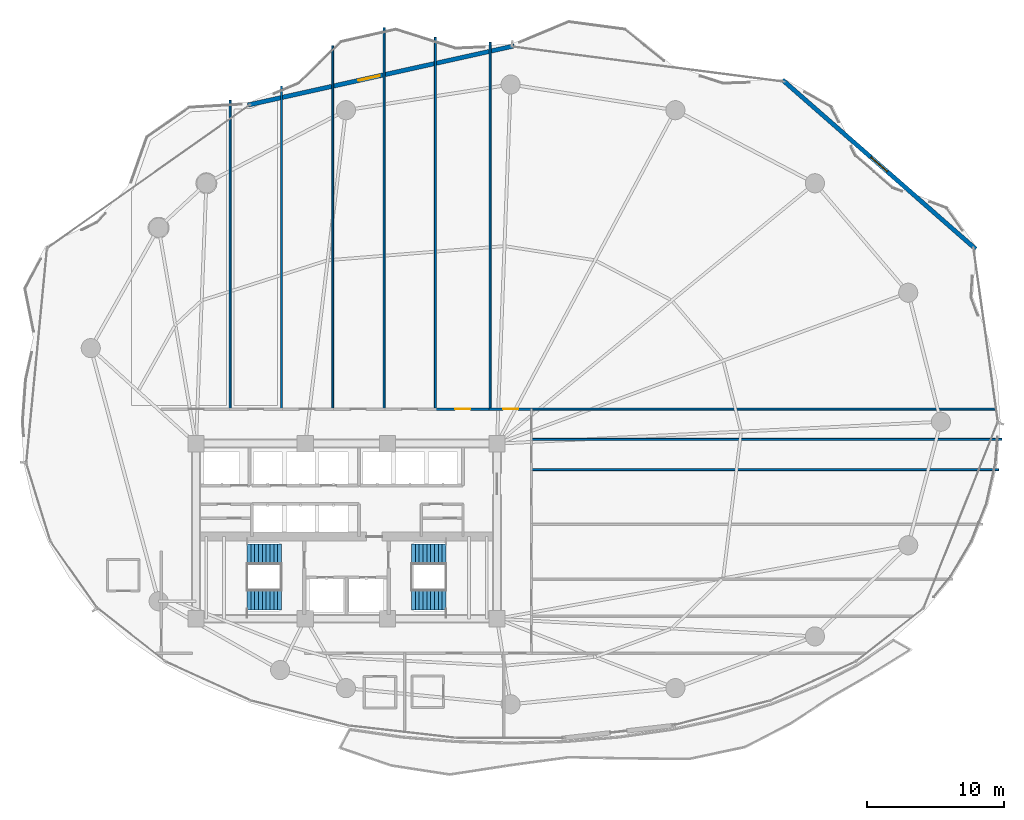
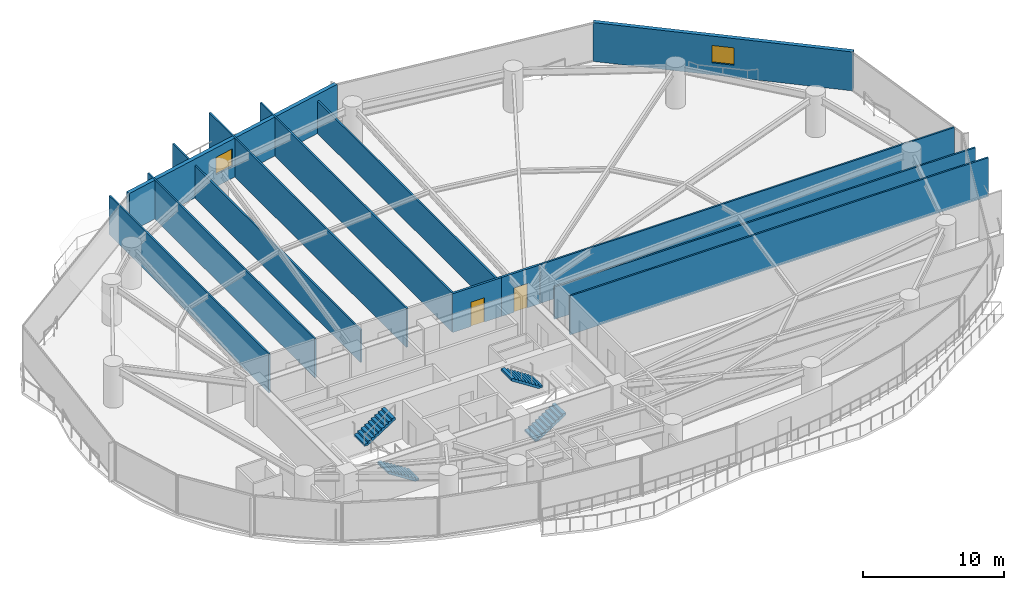
# One storey, part 27 of 32: 13 walls, 4 stair flights, 2 doors, 2 windows, 4 openings, 2 elements without a shape of their own.
"""IFC4 building model written with IfcOpenShell, lengths in metres."""

from ifc_helpers import new_model, si_unit, direction, frame, frame_2d, origin, place, context, subcontext, project, spatial, polyline, rectangle, outline, extrude, material, layer, layer_set, type_object, element, fill, aggregate, save


model = new_model("IFC4")

# Units and contexts
model_context = context("Model", 3, precision=1e-05, world=origin(), true_north=direction((0.0, 1.0)))
body_context = subcontext(model_context, "Body", "Model", "MODEL_VIEW")
ifc_project = project(units=[si_unit("LENGTHUNIT", "METRE"), si_unit("AREAUNIT", "SQUARE_METRE"), si_unit("VOLUMEUNIT", "CUBIC_METRE"), si_unit("PLANEANGLEUNIT", "RADIAN"), si_unit("MASSUNIT", "GRAM", prefix="KILO")], contexts=[model_context])

# Site, building, storey
site_placement = place(None, origin())
site = spatial("IfcSite", under=ifc_project, at=site_placement, CompositionType="ELEMENT")
building_placement = place(site_placement, origin())
building = spatial("IfcBuilding", under=site, at=building_placement, Name="Kazevale Care Tower and Concert Hall", CompositionType="ELEMENT")
storey_placement = place(building_placement, frame((0.0, 0.0, 42.0)))
storey = spatial("IfcBuildingStorey", under=building, at=storey_placement, Name="L10", CompositionType="ELEMENT", Elevation=42.0)

# Walls
ifc_material_1 = material(Name="Acoustic Gypsum on Steel Stud", Category="steel")
ifc_layer_1 = layer(ifc_material_1, 0.139892578125)
ifc_layer_set_1 = layer_set([ifc_layer_1], Name="Acoustic Gypsum on Steel Stud")
wall_type_1 = type_object("IfcWallType", Name="Acoustic Care & Suite Partition 140", PredefinedType="PARTITIONING", material=ifc_layer_set_1)
wall_1_placement = place(storey_placement, frame((24.5, 61.48291015625, 0.0), z_axis=(0.0, 0.0, 1.0), x_axis=(0.0, -1.0, 0.0)))
element("IfcWall", 1, at=wall_1_placement, inside=storey, type_object=wall_type_1, Name="wall:L10:auto_019", PredefinedType="PARTITIONING", context=body_context, shape_type="SweptSolid", body=[
    extrude(rectangle(XDim=22.587890625, YDim=0.139892578125, at=frame_2d((11.2939453125, 0.0))), origin(), (0.0, 0.0, 1.0), 3.360107421875),
])
wall_2_placement = place(storey_placement, frame((28.25, 62.532958984375, 0.0), z_axis=(0.0, 0.0, 1.0), x_axis=(0.0, -1.0, 0.0)))
element("IfcWall", 2, at=wall_2_placement, inside=storey, type_object=wall_type_1, Name="wall:L10:auto_020", PredefinedType="PARTITIONING", context=body_context, shape_type="SweptSolid", body=[
    extrude(rectangle(XDim=23.637939453125, YDim=0.139892578125, at=frame_2d((11.81884765625, 0.0))), origin(), (0.0, 0.0, 1.0), 3.360107421875),
])
wall_3_placement = place(storey_placement, frame((32.0, 65.493896484375, 0.0), z_axis=(0.0, 0.0, 1.0), x_axis=(0.0, -1.0, 0.0)))
element("IfcWall", 3, at=wall_3_placement, inside=storey, type_object=wall_type_1, Name="wall:L10:auto_021", PredefinedType="PARTITIONING", context=body_context, shape_type="SweptSolid", body=[
    extrude(rectangle(XDim=26.598876953125, YDim=0.139892578125, at=frame_2d((13.29931640625, 0.0))), origin(), (0.0, 0.0, 1.0), 2.805908203125),
])
wall_4_placement = place(storey_placement, frame((35.75, 66.81298828125, 0.0), z_axis=(0.0, 0.0, 1.0), x_axis=(0.0, -1.0, 0.0)))
element("IfcWall", 4, at=wall_4_placement, inside=storey, type_object=wall_type_1, Name="wall:L10:auto_022", PredefinedType="PARTITIONING", context=body_context, shape_type="SweptSolid", body=[
    extrude(rectangle(XDim=27.91796875, YDim=0.139892578125, at=frame_2d((13.958984375, 0.0))), origin(), (0.0, 0.0, 1.0), 3.360107421875),
])
wall_5_placement = place(storey_placement, frame((39.5, 66.0869140625, 0.0), z_axis=(0.0, 0.0, 1.0), x_axis=(0.0, -1.0, 0.0)))
element("IfcWall", 5, at=wall_5_placement, inside=storey, type_object=wall_type_1, Name="wall:L10:auto_023", PredefinedType="PARTITIONING", context=body_context, shape_type="SweptSolid", body=[
    extrude(rectangle(XDim=27.19189453125, YDim=0.139892578125, at=frame_2d((13.595947265625, 0.0))), origin(), (0.0, 0.0, 1.0), 3.360107421875),
])
wall_6_placement = place(storey_placement, frame((43.5, 65.735107421875, 0.0), z_axis=(0.0, 0.0, 1.0), x_axis=(0.0, -1.0, 0.0)))
element("IfcWall", 6, at=wall_6_placement, inside=storey, type_object=wall_type_1, Name="wall:L10:auto_024", PredefinedType="PARTITIONING", context=body_context, shape_type="SweptSolid", body=[
    extrude(rectangle(XDim=26.840087890625, YDim=0.139892578125, at=frame_2d((13.419921875, 0.0))), origin(), (0.0, 0.0, 1.0), 2.805908203125),
])
wall_7_placement = place(storey_placement, frame((80.480224609375, 38.925048828125, 0.0), z_axis=(0.0, 0.0, 1.0), x_axis=(-1.0, 0.0, 0.0)))
element("IfcWall", 7, at=wall_7_placement, inside=storey, type_object=wall_type_1, Name="wall:L10:auto_025", PredefinedType="PARTITIONING", context=body_context, shape_type="SweptSolid", body=[
    extrude(rectangle(XDim=34.020263671875, YDim=0.139892578125, at=frame_2d((17.01025390625, 0.0))), origin(), (0.0, 0.0, 1.0), 3.360107421875),
])
wall_8_placement = place(storey_placement, frame((46.4951171875, 34.5, 0.0), z_axis=(0.0, 0.0, 1.0), x_axis=(1.0, 0.0, 0.0)))
element("IfcWall", 8, at=wall_8_placement, inside=storey, type_object=wall_type_1, Name="wall:L10:auto_030", PredefinedType="PARTITIONING", context=body_context, shape_type="SweptSolid", body=[
    extrude(rectangle(XDim=34.177001953125, YDim=0.139892578125, at=frame_2d((17.08837890625, 0.0))), origin(), (0.0, 0.0, 1.0), 3.360107421875),
])
wall_9_placement = place(storey_placement, frame((46.4951171875, 36.7099609375, 0.0), z_axis=(0.0, 0.0, 1.0), x_axis=(1.0, 0.0, 0.0)))
element("IfcWall", 9, at=wall_9_placement, inside=storey, type_object=wall_type_1, Name="wall:L10:auto_031", PredefinedType="PARTITIONING", context=body_context, shape_type="SweptSolid", body=[
    extrude(rectangle(XDim=34.409912109375, YDim=0.139892578125, at=frame_2d((17.205078125, 0.0))), origin(), (0.0, 0.0, 1.0), 2.805908203125),
])

# Wall, opening, door
ifc_material_2 = material(Name="Concrete C40 and Acoustic Gypsum", Category="concrete")
ifc_layer_2 = layer(ifc_material_2, 0.179931640625)
ifc_layer_set_2 = layer_set([ifc_layer_2], Name="Concrete C40 and Acoustic Gypsum")
wall_type_2 = type_object("IfcWallType", Name="Fire-Rated Corridor & Party Wall 180", PredefinedType="PARTITIONING", material=ifc_layer_set_2)
wall_10_placement = place(storey_placement, frame((39.43505859375, 38.925048828125, 0.0), z_axis=(0.0, 0.0, 1.0), x_axis=(1.0, 0.0, 0.0)))
wall_10 = element("IfcWall", 10, at=wall_10_placement, inside=storey, type_object=wall_type_2, Name="wall:L10:auto_006", PredefinedType="PARTITIONING", context=body_context, shape_type="SweptSolid", body=[
    extrude(rectangle(XDim=4.1298828125, YDim=0.179931640625, at=frame_2d((2.06494140625, 0.0))), origin(), (0.0, 0.0, 1.0), 3.360107421875),
])
opening_1_placement = place(wall_10_placement, frame((1.514892578125, 0.0, 0.0)))
opening_1 = element("IfcOpeningElement", 11, at=opening_1_placement, cuts=wall_10, Name="Opening ID-1100", PredefinedType="OPENING", context=body_context, shape_type="SweptSolid", body=[
    extrude(rectangle(XDim=1.10009765625, YDim=2.10009765625, at=frame_2d((0.550048828125, 1.050048828125))), frame((0.0, 0.099853515625, 0.0), z_axis=(0.0, -1.0, 0.0), x_axis=(1.0, 0.0, 0.0)), (0.0, 0.0, 1.0), 0.199951171875),
])
ifc_material_3 = material(Name="Oak Timber Fire Leaf", Category="wood")
door_type = type_object("IfcDoorType", Name="Care Bedroom Accessible Door 1100x2100", OperationType="NOTDEFINED", PredefinedType="DOOR", material=ifc_material_3)
door_1_placement = place(opening_1_placement, origin())
door_1 = element("IfcDoor", 12, at=door_1_placement, inside=storey, type_object=door_type, Name="door:L10:ad_006", OperationType="SINGLE_SWING_LEFT", OverallHeight=2.10009765625, OverallWidth=1.10009765625, PredefinedType="DOOR", context=body_context, shape_type="SweptSolid", body=[
    extrude(rectangle(XDim=1.10009765625, YDim=2.10009765625, at=frame_2d((0.550048828125, 1.050048828125))), frame((0.0, 0.02490234375, 0.0), z_axis=(0.0, -1.0, 0.0), x_axis=(1.0, 0.0, 0.0)), (0.0, 0.0, 1.0), 0.050048828125),
])
fill(opening_1, door_1)

wall_11_placement = place(storey_placement, frame((43.43505859375, 38.925048828125, 0.0), z_axis=(0.0, 0.0, 1.0), x_axis=(1.0, 0.0, 0.0)))
wall_11 = element("IfcWall", 13, at=wall_11_placement, inside=storey, type_object=wall_type_2, Name="wall:L10:auto_007", PredefinedType="PARTITIONING", context=body_context, shape_type="SweptSolid", body=[
    extrude(rectangle(XDim=3.119873046875, YDim=0.179931640625, at=frame_2d((1.56005859375, 0.0))), origin(), (0.0, 0.0, 1.0), 3.360107421875),
])
opening_2_placement = place(wall_11_placement, frame((1.010009765625, 0.0, 0.0)))
opening_2 = element("IfcOpeningElement", 14, at=opening_2_placement, cuts=wall_11, Name="Opening ID-1100", PredefinedType="OPENING", context=body_context, shape_type="SweptSolid", body=[
    extrude(rectangle(XDim=1.10009765625, YDim=2.10009765625, at=frame_2d((0.550048828125, 1.050048828125))), frame((0.0, 0.099853515625, 0.0), z_axis=(0.0, -1.0, 0.0), x_axis=(1.0, 0.0, 0.0)), (0.0, 0.0, 1.0), 0.199951171875),
])
door_2_placement = place(opening_2_placement, origin())
door_2 = element("IfcDoor", 15, at=door_2_placement, inside=storey, type_object=door_type, Name="door:L10:ad_007", OperationType="SINGLE_SWING_LEFT", OverallHeight=2.10009765625, OverallWidth=1.10009765625, PredefinedType="DOOR", context=body_context, shape_type="SweptSolid", body=[
    extrude(rectangle(XDim=1.10009765625, YDim=2.10009765625, at=frame_2d((0.550048828125, 1.050048828125))), frame((0.0, 0.02490234375, 0.0), z_axis=(0.0, -1.0, 0.0), x_axis=(1.0, 0.0, 0.0)), (0.0, 0.0, 1.0), 0.050048828125),
])
fill(opening_2, door_2)

# Wall, opening, window
ifc_material_4 = material(Name="Concrete C40 with Honed Limestone Cladding", Category="masonry")
ifc_layer_3 = layer(ifc_material_4, 0.320068359375)
ifc_layer_set_3 = layer_set([ifc_layer_3], Name="Concrete C40 with Honed Limestone Cladding")
wall_type_3 = type_object("IfcWallType", Name="Tower Honed Limestone Spandrel Wall 320", PredefinedType="STANDARD", material=ifc_layer_set_3)
wall_12_placement = place(storey_placement, frame((25.780029296875, 61.14404296875, 0.0), z_axis=(0.0, 0.0, 1.0), x_axis=(0.976206349039, 0.216843639742, 0.0)))
wall_12 = element("IfcWall", 16, at=wall_12_placement, inside=storey, type_object=wall_type_3, Name="wall:L10:cbox:15", PredefinedType="STANDARD", context=body_context, shape_type="SweptSolid", body=[
    extrude(rectangle(XDim=19.949462890625, YDim=0.320068359375, at=frame_2d((9.974609375, 0.0))), origin(), (0.0, 0.0, 1.0), 3.360107421875),
])
opening_3_placement = place(wall_12_placement, frame((8.294921875, 0.0, 1.050048828125)))
opening_3 = element("IfcOpeningElement", 17, at=opening_3_placement, cuts=wall_12, Name="Opening WIN-1", PredefinedType="OPENING", context=body_context, shape_type="SweptSolid", body=[
    extrude(rectangle(XDim=1.60009765625, YDim=1.5, at=frame_2d((0.800048828125, 0.75))), frame((0.0, 0.169921875, 0.0), z_axis=(0.0, -1.0, 0.0), x_axis=(1.0, 0.0, 0.0)), (0.0, 0.0, 1.0), 0.340087890625),
])
ifc_material_5 = material(Name="Low-E Laminated Glass", Category="glass")
window_type = type_object("IfcWindowType", Name="Convex Box Deep-Set Window 1600x1500", PartitioningType="DOUBLE_PANEL_VERTICAL", PredefinedType="WINDOW", material=ifc_material_5)
window_1_placement = place(opening_3_placement, origin())
window_1 = element("IfcWindow", 18, at=window_1_placement, inside=storey, type_object=window_type, Name="win:L10:cbox:15", OverallHeight=1.5, OverallWidth=1.60009765625, PartitioningType="SINGLE_PANEL", PredefinedType="WINDOW", context=body_context, shape_type="SweptSolid", body=[
    extrude(rectangle(XDim=1.60009765625, YDim=1.5, at=frame_2d((0.800048828125, 0.75))), frame((0.0, 0.030029296875, 0.0), z_axis=(0.0, -1.0, 0.0), x_axis=(1.0, 0.0, 0.0)), (0.0, 0.0, 1.0), 0.06005859375),
])
fill(opening_3, window_1)

wall_13_placement = place(storey_placement, frame((64.8740234375, 62.98388671875, 0.0), z_axis=(0.0, 0.0, 1.0), x_axis=(0.752445311183, -0.658654730249, 0.0)))
wall_13 = element("IfcWall", 19, at=wall_13_placement, inside=storey, type_object=wall_type_3, Name="wall:L10:cbox:17", PredefinedType="STANDARD", context=body_context, shape_type="SweptSolid", body=[
    extrude(rectangle(XDim=18.765380859375, YDim=0.320068359375, at=frame_2d((9.3828125, 0.0))), origin(), (0.0, 0.0, 1.0), 3.360107421875),
])
opening_4_placement = place(wall_13_placement, frame((8.58203125, 0.0, 1.050048828125)))
opening_4 = element("IfcOpeningElement", 20, at=opening_4_placement, cuts=wall_13, Name="Opening WIN-1", PredefinedType="OPENING", context=body_context, shape_type="SweptSolid", body=[
    extrude(rectangle(XDim=1.60009765625, YDim=1.5, at=frame_2d((0.800048828125, 0.75))), frame((0.0, 0.169921875, 0.0), z_axis=(0.0, -1.0, 0.0), x_axis=(1.0, 0.0, 0.0)), (0.0, 0.0, 1.0), 0.340087890625),
])
window_2_placement = place(opening_4_placement, origin())
window_2 = element("IfcWindow", 21, at=window_2_placement, inside=storey, type_object=window_type, Name="win:L10:cbox:17", OverallHeight=1.5, OverallWidth=1.60009765625, PartitioningType="SINGLE_PANEL", PredefinedType="WINDOW", context=body_context, shape_type="SweptSolid", body=[
    extrude(rectangle(XDim=1.60009765625, YDim=1.5, at=frame_2d((0.800048828125, 0.75))), frame((0.0, 0.030029296875, 0.0), z_axis=(0.0, -1.0, 0.0), x_axis=(1.0, 0.0, 0.0)), (0.0, 0.0, 1.0), 0.06005859375),
])
fill(opening_4, window_2)

# Stair, stair flights
ifc_material_6 = material(Name="Concrete C40", Category="concrete")
stair_type = type_object("IfcStairType", Name="Exit Stair Assembly ST1-Z1", PredefinedType="HALF_TURN_STAIR", material=ifc_material_6)
stair_1_placement = place(storey_placement, origin())
stair_1 = element("IfcStair", 22, at=stair_1_placement, inside=storey, type_object=stair_type, Name="stair:L10:ST1", PredefinedType="HALF_TURN_STAIR")
ifc_layer_4 = layer(ifc_material_6, 0.159912109375)
ifc_layer_set_4 = layer_set([ifc_layer_4], Name="Concrete C40")
stair_flight_type = type_object("IfcStairFlightType", Name="Exit Stair Flight ST1-Z1", PredefinedType="STRAIGHT", material=ifc_layer_set_4)
stair_flight_1_placement = place(storey_placement, frame((28.25, 24.989990234375, 0.0), z_axis=(0.0, 0.0, 1.0), x_axis=(-1.0, 0.0, 0.0)))
stair_flight_1 = element("IfcStairFlight", 23, at=stair_flight_1_placement, type_object=stair_flight_type, Name="ST1-Z1 flight 1", NumberOfRisers=10, NumberOfTreads=9, PredefinedType="STRAIGHT", RiserHeight=0.18, TreadLength=0.28, context=body_context, shape_type="SweptSolid", body=[
    extrude(outline(polyline([(0.0, 0.0), (0.0, 0.179931640625), (0.280029296875, 0.179931640625), (0.280029296875, 0.360107421875), (0.56005859375, 0.360107421875), (0.56005859375, 0.5400390625), (0.840087890625, 0.5400390625), (0.840087890625, 0.719970703125), (1.1201171875, 0.719970703125), (1.1201171875, 0.89990234375), (1.39990234375, 0.89990234375), (1.39990234375, 1.080078125), (1.679931640625, 1.080078125), (1.679931640625, 1.260009765625), (1.9599609375, 1.260009765625), (1.9599609375, 1.43994140625), (2.239990234375, 1.43994140625), (2.239990234375, 1.6201171875), (2.52001953125, 1.6201171875), (2.52001953125, 1.800048828125), (2.52001953125, 1.429931640625), (0.295654296875, 0.0), (0.0, 0.0)])), frame((0.0, 0.739990234375, 0.0), z_axis=(0.0, -1.0, 0.0), x_axis=(1.0, 0.0, 0.0)), (0.0, 0.0, 1.0), 1.47998046875),
])
stair_flight_2_placement = place(storey_placement, frame((25.72998046875, 28.31005859375, 1.800048828125), z_axis=(0.0, 0.0, 1.0), x_axis=(1.0, 0.0, 0.0)))
stair_flight_2 = element("IfcStairFlight", 24, at=stair_flight_2_placement, type_object=stair_flight_type, Name="ST1-Z1 flight 2", NumberOfRisers=10, NumberOfTreads=9, PredefinedType="STRAIGHT", RiserHeight=0.18, TreadLength=0.28, context=body_context, shape_type="SweptSolid", body=[
    extrude(outline(polyline([(0.0, 0.0), (0.0, 0.179931640625), (0.280029296875, 0.179931640625), (0.280029296875, 0.360107421875), (0.56005859375, 0.360107421875), (0.56005859375, 0.5400390625), (0.840087890625, 0.5400390625), (0.840087890625, 0.719970703125), (1.1201171875, 0.719970703125), (1.1201171875, 0.89990234375), (1.39990234375, 0.89990234375), (1.39990234375, 1.080078125), (1.679931640625, 1.080078125), (1.679931640625, 1.260009765625), (1.9599609375, 1.260009765625), (1.9599609375, 1.43994140625), (2.239990234375, 1.43994140625), (2.239990234375, 1.6201171875), (2.52001953125, 1.6201171875), (2.52001953125, 1.800048828125), (2.52001953125, 1.429931640625), (0.295654296875, 0.0), (0.0, 0.0)])), frame((0.0, 0.739990234375, 0.0), z_axis=(0.0, -1.0, 0.0), x_axis=(1.0, 0.0, 0.0)), (0.0, 0.0, 1.0), 1.47998046875),
])
aggregate(stair_1, [stair_flight_1, stair_flight_2])

stair_2_placement = place(storey_placement, origin())
stair_2 = element("IfcStair", 25, at=stair_2_placement, inside=storey, type_object=stair_type, Name="stair:L10:ST2", PredefinedType="HALF_TURN_STAIR")
stair_flight_3_placement = place(storey_placement, frame((37.75, 24.989990234375, 0.0), z_axis=(0.0, 0.0, 1.0), x_axis=(1.0, 0.0, 0.0)))
stair_flight_3 = element("IfcStairFlight", 26, at=stair_flight_3_placement, type_object=stair_flight_type, Name="ST1-Z1 flight 1", NumberOfRisers=10, NumberOfTreads=9, PredefinedType="STRAIGHT", RiserHeight=0.18, TreadLength=0.28, context=body_context, shape_type="SweptSolid", body=[
    extrude(outline(polyline([(0.0, 0.0), (0.0, 0.179931640625), (0.280029296875, 0.179931640625), (0.280029296875, 0.360107421875), (0.56005859375, 0.360107421875), (0.56005859375, 0.5400390625), (0.840087890625, 0.5400390625), (0.840087890625, 0.719970703125), (1.1201171875, 0.719970703125), (1.1201171875, 0.89990234375), (1.39990234375, 0.89990234375), (1.39990234375, 1.080078125), (1.679931640625, 1.080078125), (1.679931640625, 1.260009765625), (1.9599609375, 1.260009765625), (1.9599609375, 1.43994140625), (2.239990234375, 1.43994140625), (2.239990234375, 1.6201171875), (2.52001953125, 1.6201171875), (2.52001953125, 1.800048828125), (2.52001953125, 1.429931640625), (0.295654296875, 0.0), (0.0, 0.0)])), frame((0.0, 0.739990234375, 0.0), z_axis=(0.0, -1.0, 0.0), x_axis=(1.0, 0.0, 0.0)), (0.0, 0.0, 1.0), 1.47998046875),
])
stair_flight_4_placement = place(storey_placement, frame((40.27001953125, 28.31005859375, 1.800048828125), z_axis=(0.0, 0.0, 1.0), x_axis=(-1.0, 0.0, 0.0)))
stair_flight_4 = element("IfcStairFlight", 27, at=stair_flight_4_placement, type_object=stair_flight_type, Name="ST1-Z1 flight 2", NumberOfRisers=10, NumberOfTreads=9, PredefinedType="STRAIGHT", RiserHeight=0.18, TreadLength=0.28, context=body_context, shape_type="SweptSolid", body=[
    extrude(outline(polyline([(0.0, 0.0), (0.0, 0.179931640625), (0.280029296875, 0.179931640625), (0.280029296875, 0.360107421875), (0.56005859375, 0.360107421875), (0.56005859375, 0.5400390625), (0.840087890625, 0.5400390625), (0.840087890625, 0.719970703125), (1.1201171875, 0.719970703125), (1.1201171875, 0.89990234375), (1.39990234375, 0.89990234375), (1.39990234375, 1.080078125), (1.679931640625, 1.080078125), (1.679931640625, 1.260009765625), (1.9599609375, 1.260009765625), (1.9599609375, 1.43994140625), (2.239990234375, 1.43994140625), (2.239990234375, 1.6201171875), (2.52001953125, 1.6201171875), (2.52001953125, 1.800048828125), (2.52001953125, 1.429931640625), (0.295654296875, 0.0), (0.0, 0.0)])), frame((0.0, 0.739990234375, 0.0), z_axis=(0.0, -1.0, 0.0), x_axis=(1.0, 0.0, 0.0)), (0.0, 0.0, 1.0), 1.47998046875),
])
aggregate(stair_2, [stair_flight_3, stair_flight_4])

save(model, "model.ifc")
